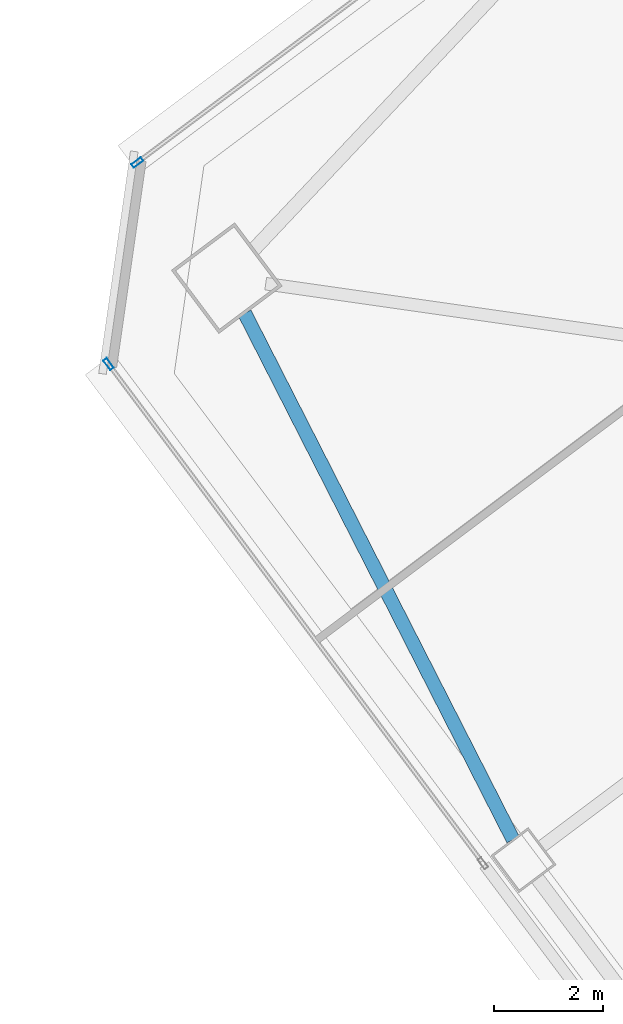
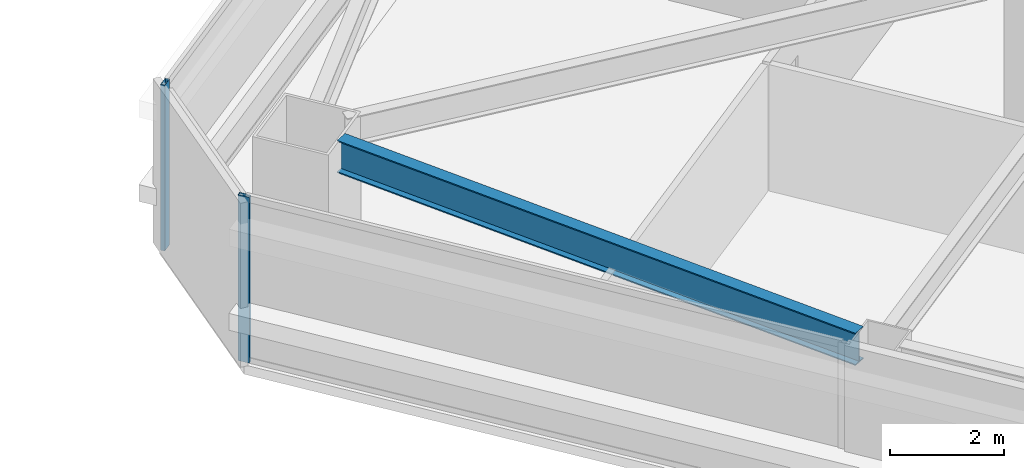
# One storey, part 21 of 44: 2 members, 1 beam, 2 elements without a shape of their own.
"""IFC4 building model written with IfcOpenShell, lengths in metres."""

from ifc_helpers import new_model, si_unit, direction, frame, origin, origin_2d, place, context, subcontext, project, spatial, hollow_rectangle, i_section, extrude, material, material_profile, profile_set, type_object, element, aggregate, save


model = new_model("IFC4")

# Units and contexts
model_context = context("Model", 3, precision=1e-05, world=origin(), true_north=direction((0.0, 1.0)))
body_context = subcontext(model_context, "Body", "Model", "MODEL_VIEW")
ifc_project = project(units=[si_unit("LENGTHUNIT", "METRE"), si_unit("AREAUNIT", "SQUARE_METRE"), si_unit("VOLUMEUNIT", "CUBIC_METRE"), si_unit("PLANEANGLEUNIT", "RADIAN"), si_unit("MASSUNIT", "GRAM", prefix="KILO")], contexts=[model_context])

# Site, building, storey
site_placement = place(None, origin())
site = spatial("IfcSite", under=ifc_project, at=site_placement, CompositionType="ELEMENT")
building_placement = place(site_placement, origin())
building = spatial("IfcBuilding", under=site, at=building_placement, Name="Tashvorn Skyway Center", CompositionType="ELEMENT")
storey_placement = place(building_placement, frame((0.0, 0.0, 102.699951171875)))
storey = spatial("IfcBuildingStorey", under=building, at=storey_placement, Name="L27", CompositionType="ELEMENT", Elevation=102.699951171875)

# Beam
ifc_material_1 = material(Name="Steel ASTM A992 Grade 50", Category="steel")
ifc_material_profile_1 = material_profile(ifc_material_1, i_section(OverallWidth=0.256103515625, OverallDepth=0.693115234375, WebThickness=0.014404296875, FlangeThickness=0.023681640625, at=origin_2d()), Name="W27X114")
ifc_profile_set_1 = profile_set([ifc_material_profile_1], Name="Steel ASTM A992 Grade 50")
beam_type = type_object("IfcBeamType", Name="BM-SPANDREL-W27X114", PredefinedType="SPANDREL", material=ifc_profile_set_1)
beam_placement = place(storey_placement, frame((90.2470703125, 34.798583984375, 3.003662109375), z_axis=(0.454210938961, -0.890894170442, 0.0), x_axis=(0.890894170442, 0.454210938961, 0.0)))
element("IfcBeam", 1, at=beam_placement, inside=storey, type_object=beam_type, Name="Tower 2 L27 Spandrel Beam 10", PredefinedType="SPANDREL", context=body_context, shape_type="SweptSolid", body=[
    extrude(i_section(OverallWidth=0.256103515625, OverallDepth=0.693115234375, WebThickness=0.014404296875, FlangeThickness=0.023681640625, at=origin_2d()), origin(), (0.0, 0.0, 1.0), 10.836669921875),
])

# Curtain wall, member
ifc_material_2 = material(Name="Thermally broken bronze-anodized aluminium 6063-T6", Category="aluminium")
curtain_wall_type = type_object("IfcCurtainWallType", Name="CW-CW-Z2", PredefinedType="NOTDEFINED", material=ifc_material_2)
curtain_wall_1_placement = place(storey_placement, origin())
curtain_wall_1 = element("IfcCurtainWall", 2, at=curtain_wall_1_placement, inside=storey, type_object=curtain_wall_type, Name="Tower 2 L27 West Unitised Curtain Wall Glazing Group 2", PredefinedType="NOTDEFINED")
ifc_material_profile_2 = material_profile(ifc_material_2, hollow_rectangle(XDim=0.080078125, YDim=0.219970703125, WallThickness=0.0048828125, at=origin_2d()), Name="ALU-MULL-80x220")
ifc_profile_set_2 = profile_set([ifc_material_profile_2], Name="Thermally broken bronze-anodized aluminium 6063-T6")
member_type = type_object("IfcMemberType", Name="CWM-CW-Z2", PredefinedType="MULLION", material=ifc_profile_set_2)
member_1_placement = place(storey_placement, frame((87.751953125, 33.864013671875, 0.0), z_axis=(0.0, 0.0, 1.0), x_axis=(-0.799999999998, -0.600000000002, 0.0)))
member_1 = element("IfcMember", 3, at=member_1_placement, type_object=member_type, Name="CW-Z2 mullion 2", PredefinedType="MULLION", context=body_context, shape_type="SweptSolid", body=[
    extrude(hollow_rectangle(XDim=0.080078125, YDim=0.219970703125, WallThickness=0.0048828125, at=origin_2d()), origin(), (0.0, 0.0, 1.0), 3.550048828125),
])
aggregate(curtain_wall_1, [member_1])

curtain_wall_2_placement = place(storey_placement, origin())
curtain_wall_2 = element("IfcCurtainWall", 4, at=curtain_wall_2_placement, inside=storey, type_object=curtain_wall_type, Name="Tower 2 L27 North Unitised Curtain Wall Glazing Group 1", PredefinedType="NOTDEFINED")
member_2_placement = place(storey_placement, frame((88.280029296875, 37.56005859375, 0.0), z_axis=(0.0, 0.0, 1.0), x_axis=(-0.600000000002, 0.799999999998, 0.0)))
member_2 = element("IfcMember", 5, at=member_2_placement, type_object=member_type, Name="CW-Z2 mullion 1", PredefinedType="MULLION", context=body_context, shape_type="SweptSolid", body=[
    extrude(hollow_rectangle(XDim=0.080078125, YDim=0.219970703125, WallThickness=0.0048828125, at=origin_2d()), origin(), (0.0, 0.0, 1.0), 3.550048828125),
])
aggregate(curtain_wall_2, [member_2])

save(model, "model.ifc")
